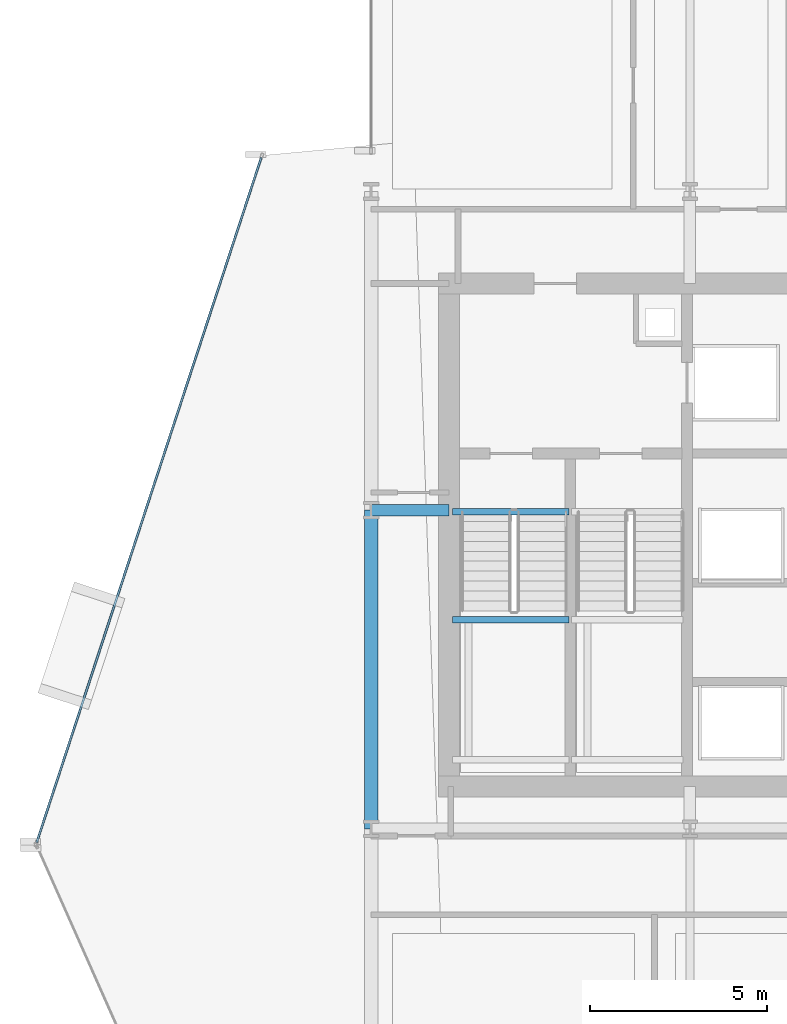
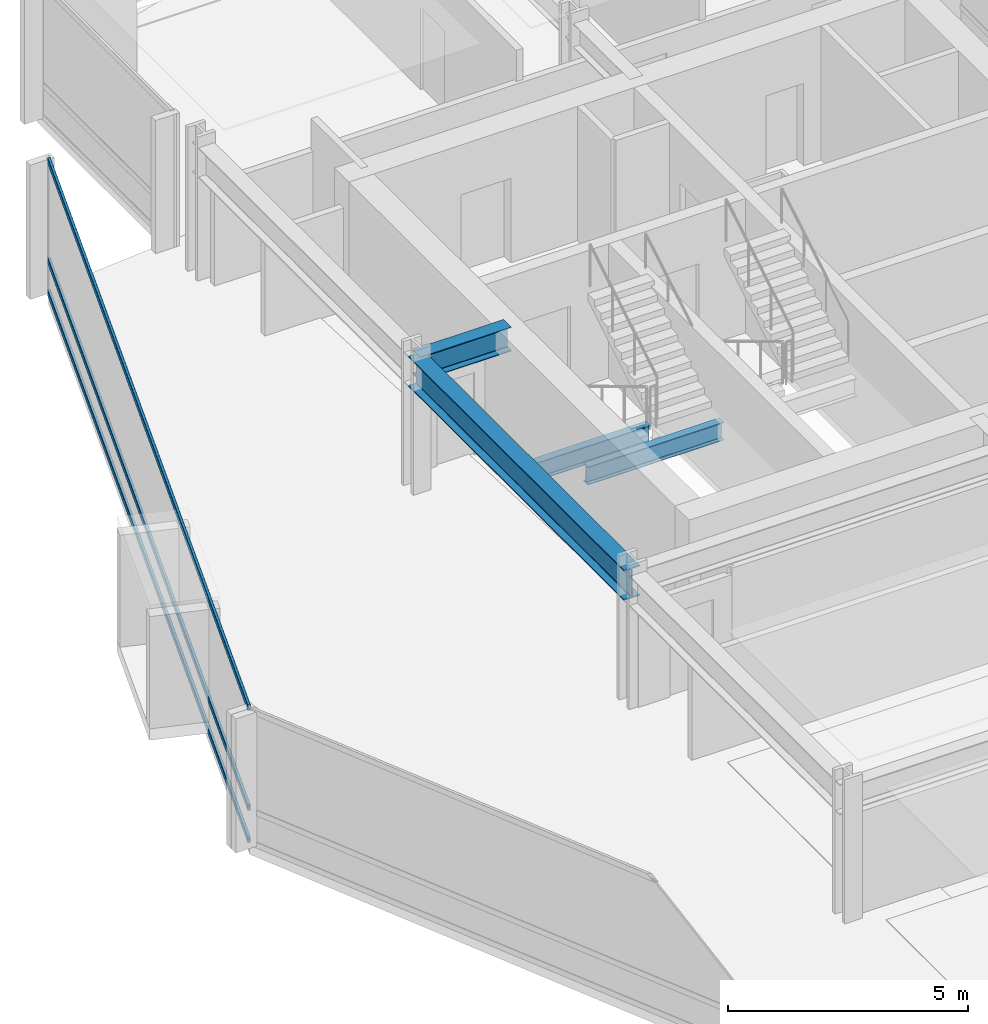
# One storey, part 18 of 34: 4 beams, 3 members, 1 element without a shape of its own.
"""IFC4 building model written with IfcOpenShell, lengths in metres."""

from ifc_helpers import new_model, si_unit, direction, frame, origin, origin_2d, place, context, subcontext, project, spatial, hollow_rectangle, i_section, extrude, material, layer, layer_set, material_profile, profile_set, type_object, element, aggregate, save


model = new_model("IFC4")

# Units and contexts
model_context = context("Model", 3, precision=1e-05, world=origin(), true_north=direction((0.0, 1.0)))
body_context = subcontext(model_context, "Body", "Model", "MODEL_VIEW")
ifc_project = project(units=[si_unit("LENGTHUNIT", "METRE"), si_unit("AREAUNIT", "SQUARE_METRE"), si_unit("VOLUMEUNIT", "CUBIC_METRE"), si_unit("PLANEANGLEUNIT", "RADIAN"), si_unit("MASSUNIT", "GRAM", prefix="KILO")], contexts=[model_context])

# Site, building, storey
site_placement = place(None, origin())
site = spatial("IfcSite", under=ifc_project, at=site_placement, CompositionType="ELEMENT")
building_placement = place(site_placement, origin())
building = spatial("IfcBuilding", under=site, at=building_placement, Name="Solvaryn Broadcast Tower", CompositionType="ELEMENT")
storey_placement = place(building_placement, frame((0.0, 0.0, 47.10009765625)))
storey = spatial("IfcBuildingStorey", under=building, at=storey_placement, Name="L10", CompositionType="ELEMENT", Elevation=47.10009765625)

# Beams
ifc_material_1 = material(Name="Steel ASTM A992 Grade 50", Category="steel")
ifc_material_profile_1 = material_profile(ifc_material_1, i_section(OverallWidth=0.323974609375, OverallDepth=0.611083984375, WebThickness=0.0126953125, FlangeThickness=0.01904296875, FilletRadius=0.014892578125, at=origin_2d()))
ifc_profile_set_1 = profile_set([ifc_material_profile_1], Name="Steel ASTM A992 Grade 50")
beam_type_1 = type_object("IfcBeamType", Name="BM-B1-W24X104", PredefinedType="BEAM", material=ifc_profile_set_1)
beam_1_placement = place(storey_placement, frame((9.0, 36.0, 3.114501953125), z_axis=(1.0, 0.0, 0.0), x_axis=(0.0, 1.0, 0.0)))
element("IfcBeam", 1, at=beam_1_placement, inside=storey, type_object=beam_type_1, Name="L10 Core Tie Beam CTW1", PredefinedType="BEAM", context=body_context, shape_type="SweptSolid", body=[
    extrude(i_section(OverallWidth=0.323974609375, OverallDepth=0.611083984375, WebThickness=0.0126953125, FlangeThickness=0.01904296875, FilletRadius=0.014892578125, at=origin_2d()), origin(), (0.0, 0.0, 1.0), 2.199951171875),
])
ifc_material_2 = material(Name="Steel ASTM A992 Grade 50", Category="steel")
ifc_material_profile_2 = material_profile(ifc_material_2, i_section(OverallWidth=0.18994140625, OverallDepth=0.45703125, WebThickness=0.009033203125, FlangeThickness=0.014404296875, FilletRadius=0.011962890625, at=origin_2d()))
ifc_profile_set_2 = profile_set([ifc_material_profile_2], Name="Steel ASTM A992 Grade 50")
beam_type_2 = type_object("IfcBeamType", Name="BM-B4-W18X50", PredefinedType="BEAM", material=ifc_profile_set_2)
for number, where, z_axis, x_axis, name in (
    (2, (11.300048828125, 35.9599609375, -0.508544921875), (1.0, 0.0, 0.0), (0.0, 1.0, 0.0), "L10 ST1 Stair Well Trimmer Beam"),
    (3, (11.300048828125, 32.909912109375, 1.42138671875), (1.0, 0.0, 0.0), (0.0, 1.0, 0.0), "L10 ST1 Landing Support Beam 1B"),
):
    element("IfcBeam", number, at=place(storey_placement, frame(where, z_axis=z_axis, x_axis=x_axis)), inside=storey, type_object=beam_type_2, Name=name, PredefinedType="BEAM", context=body_context, shape_type="SweptSolid", body=[
        extrude(i_section(OverallWidth=0.18994140625, OverallDepth=0.45703125, WebThickness=0.009033203125, FlangeThickness=0.014404296875, FilletRadius=0.011962890625, at=origin_2d()), origin(), (0.0, 0.0, 1.0), 3.280029296875),
    ])
ifc_material_3 = material(Name="Steel ASTM A992 Grade 50", Category="steel")
ifc_material_profile_3 = material_profile(ifc_material_3, i_section(OverallWidth=0.381103515625, OverallDepth=0.77294921875, WebThickness=0.0166015625, FlangeThickness=0.027099609375, FilletRadius=0.01806640625, at=origin_2d()))
ifc_profile_set_3 = profile_set([ifc_material_profile_3], Name="Steel ASTM A992 Grade 50")
beam_type_3 = type_object("IfcBeamType", Name="BM-SP1-W30X173", PredefinedType="USERDEFINED", material=ifc_profile_set_3)
beam_2_placement = place(storey_placement, frame((9.0, 27.0, 3.033447265625), z_axis=(0.0, 1.0, 0.0), x_axis=(-1.0, 0.0, 0.0)))
element("IfcBeam", 4, at=beam_2_placement, inside=storey, type_object=beam_type_3, Name="L10 Spandrel Beam Y (27-36 @ X=9)", ObjectType="SPANDREL", PredefinedType="USERDEFINED", context=body_context, shape_type="SweptSolid", body=[
    extrude(i_section(OverallWidth=0.381103515625, OverallDepth=0.77294921875, WebThickness=0.0166015625, FlangeThickness=0.027099609375, FilletRadius=0.01806640625, at=origin_2d()), origin(), (0.0, 0.0, 1.0), 9.0),
])

# Curtain wall, members
ifc_material_4 = material(Name="Aluminium and Terracotta Unitised Curtain Wall", Category="masonry")
ifc_layer = layer(ifc_material_4, 0.199951171875)
ifc_layer_set = layer_set([ifc_layer], Name="CW-SYS2-LOWMID")
curtain_wall_type = type_object("IfcCurtainWallType", Name="CW-SYS2-LOWMID", PredefinedType="NOTDEFINED", material=ifc_layer_set)
curtain_wall_placement = place(storey_placement, origin())
curtain_wall = element("IfcCurtainWall", 5, at=curtain_wall_placement, inside=storey, type_object=curtain_wall_type, Name="L10 Curtain Wall DR1", PredefinedType="NOTDEFINED")
ifc_material_5 = material(Name="Anodised Aluminium 6063-T6", Category="aluminium")
ifc_material_profile_4 = material_profile(ifc_material_5, hollow_rectangle(XDim=0.06494140625, YDim=0.14990234375, WallThickness=0.00390625, InnerFilletRadius=0.00390625, OuterFilletRadius=0.008056640625, at=origin_2d()))
ifc_profile_set_4 = profile_set([ifc_material_profile_4], Name="Anodised Aluminium 6063-T6")
member_type = type_object("IfcMemberType", Name="CW-TRN-150", PredefinedType="USERDEFINED", material=ifc_profile_set_4)
member_1_placement = place(storey_placement, frame((5.897216796875, 45.958984375, 0.02978515625), z_axis=(-0.311589549406, -0.950216792475, 0.0), x_axis=(0.950216792475, -0.311589549406, 0.0)))
member_1 = element("IfcMember", 6, at=member_1_placement, type_object=member_type, Name="CWS2 transom 1.1", ObjectType="TRANSOM", PredefinedType="USERDEFINED", context=body_context, shape_type="SweptSolid", body=[
    extrude(hollow_rectangle(XDim=0.06494140625, YDim=0.14990234375, WallThickness=0.00390625, InnerFilletRadius=0.00390625, OuterFilletRadius=0.008056640625, at=origin_2d()), origin(), (0.0, 0.0, 1.0), 20.35546875),
])
member_2_placement = place(storey_placement, frame((5.897216796875, 45.958984375, 0.849853515625), z_axis=(-0.311589549406, -0.950216792475, 0.0), x_axis=(0.950216792475, -0.311589549406, 0.0)))
member_2 = element("IfcMember", 7, at=member_2_placement, type_object=member_type, Name="CWS2 transom 1.2", ObjectType="TRANSOM", PredefinedType="USERDEFINED", context=body_context, shape_type="SweptSolid", body=[
    extrude(hollow_rectangle(XDim=0.06494140625, YDim=0.14990234375, WallThickness=0.00390625, InnerFilletRadius=0.00390625, OuterFilletRadius=0.008056640625, at=origin_2d()), origin(), (0.0, 0.0, 1.0), 20.35546875),
])
member_3_placement = place(storey_placement, frame((5.897216796875, 45.958984375, 3.389892578125), z_axis=(-0.311589549406, -0.950216792475, 0.0), x_axis=(0.950216792475, -0.311589549406, 0.0)))
member_3 = element("IfcMember", 8, at=member_3_placement, type_object=member_type, Name="CWS2 transom 1.3", ObjectType="TRANSOM", PredefinedType="USERDEFINED", context=body_context, shape_type="SweptSolid", body=[
    extrude(hollow_rectangle(XDim=0.06494140625, YDim=0.14990234375, WallThickness=0.00390625, InnerFilletRadius=0.00390625, OuterFilletRadius=0.008056640625, at=origin_2d()), origin(), (0.0, 0.0, 1.0), 20.35546875),
])
aggregate(curtain_wall, [member_1, member_2, member_3])

save(model, "model.ifc")
